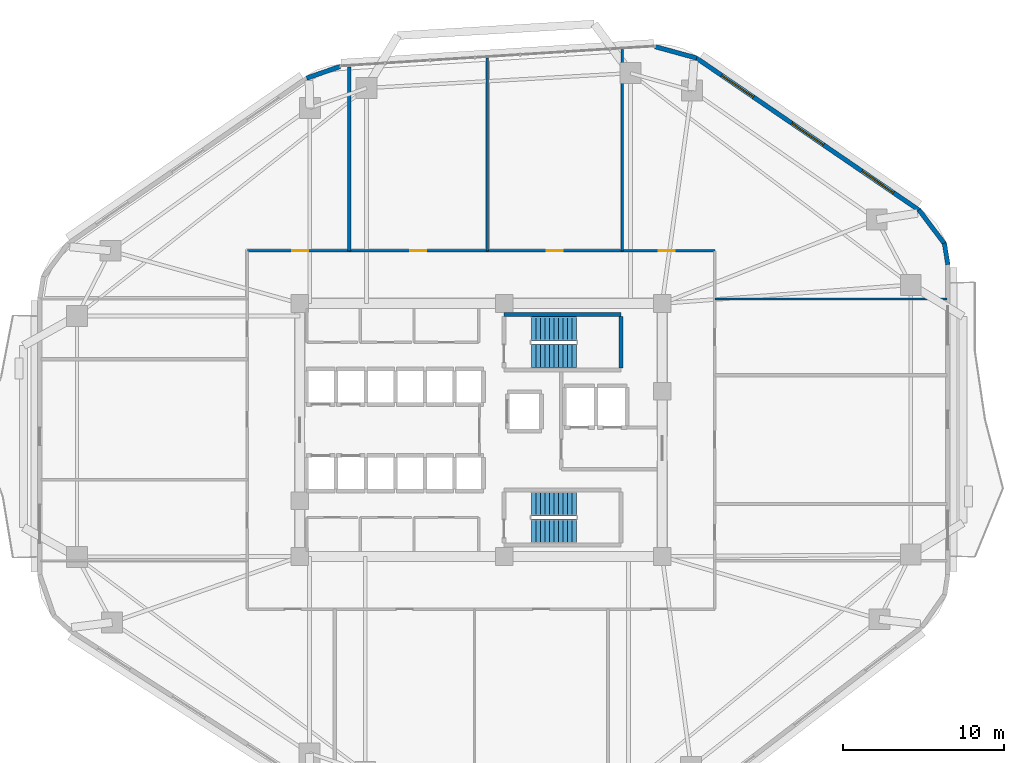
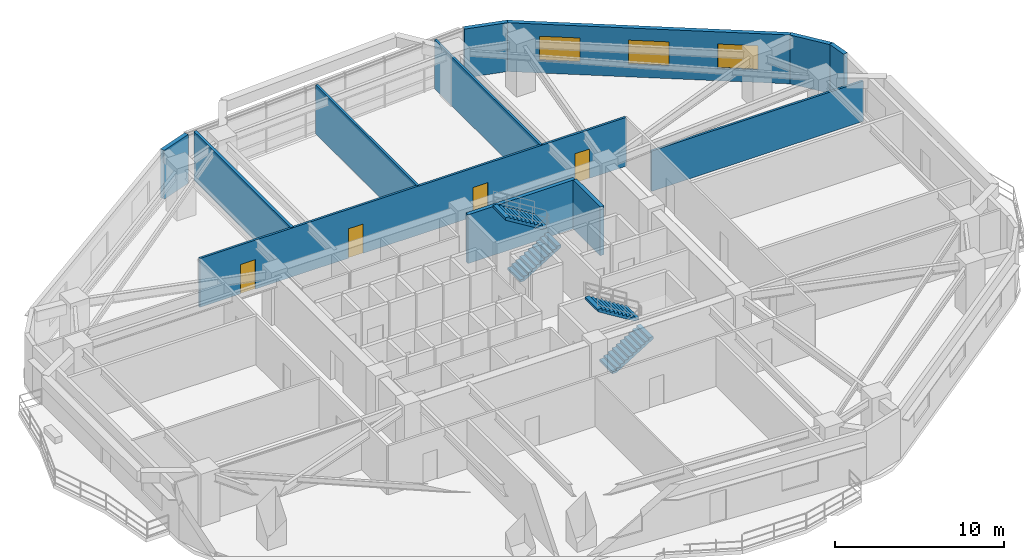
# One storey, part 10 of 14: 12 walls, 4 doors, 4 stair flights, 3 windows, 7 openings, 2 elements without a shape of their own.
"""IFC4 building model written with IfcOpenShell, lengths in metres."""

from ifc_helpers import new_model, si_unit, direction, frame, frame_2d, origin, place, context, subcontext, project, spatial, polyline, rectangle, outline, extrude, material, layer, layer_set, type_object, element, fill, aggregate, save


model = new_model("IFC4")

# Units and contexts
model_context = context("Model", 3, precision=1e-05, world=origin(), true_north=direction((0.0, 1.0)))
body_context = subcontext(model_context, "Body", "Model", "MODEL_VIEW")
ifc_project = project(units=[si_unit("LENGTHUNIT", "METRE"), si_unit("AREAUNIT", "SQUARE_METRE"), si_unit("VOLUMEUNIT", "CUBIC_METRE"), si_unit("PLANEANGLEUNIT", "RADIAN"), si_unit("MASSUNIT", "GRAM", prefix="KILO")], contexts=[model_context])

# Site, building, storey
site_placement = place(None, origin())
site = spatial("IfcSite", under=ifc_project, at=site_placement, CompositionType="ELEMENT")
building_placement = place(site_placement, origin())
building = spatial("IfcBuilding", under=site, at=building_placement, Name="Zulverin Broadcast Headquarters", CompositionType="ELEMENT")
storey_placement = place(building_placement, frame((0.0, 0.0, 55.39990234375)))
storey = spatial("IfcBuildingStorey", under=building, at=storey_placement, Name="L13", CompositionType="ELEMENT", Elevation=55.39990234375)

# Wall
ifc_material_1 = material(Name="Acoustic drywall steel stud", Category="steel")
ifc_layer_1 = layer(ifc_material_1, 0.199951171875, Name="Acoustic drywall steel stud", Category="steel")
ifc_layer_set_1 = layer_set([ifc_layer_1], Name="Acoustic drywall steel stud")
wall_type_1 = type_object("IfcWallType", Name="WL-ACOU-200", PredefinedType="PARTITIONING", material=ifc_layer_set_1)
wall_1_placement = place(storey_placement, frame((28.800048828125, 36.35009765625, 0.0), z_axis=(0.0, 0.0, 1.0), x_axis=(0.0, 1.0, 0.0)))
element("IfcWall", 1, at=wall_1_placement, inside=storey, type_object=wall_type_1, Name="L13 Room Partition Wall RP-06", PredefinedType="PARTITIONING", context=body_context, shape_type="SweptSolid", body=[
    extrude(rectangle(XDim=11.454345703125, YDim=0.199951171875, at=frame_2d((5.72705078125, 0.0))), origin(), (0.0, 0.0, 1.0), 3.525146484375),
])

# Wall, openings, windows
ifc_material_2 = material(Name="Insulated pale-metal clad concrete spandrel C40/50", Category="concrete")
ifc_layer_2 = layer(ifc_material_2, 0.280029296875, Name="Insulated pale-metal clad concrete spandrel C40/50", Category="concrete")
ifc_layer_set_2 = layer_set([ifc_layer_2], Name="Insulated pale-metal clad concrete spandrel C40/50")
wall_type_2 = type_object("IfcWallType", Name="WL-EXT-280", PredefinedType="STANDARD", material=ifc_layer_set_2)
wall_2_placement = place(storey_placement, frame((64.289794921875, 38.8671875, 0.0), z_axis=(0.0, 0.0, 1.0), x_axis=(-0.825755550159, 0.564028165416, 0.0)))
wall_2 = element("IfcWall", 2, at=wall_2_placement, inside=storey, type_object=wall_type_2, Name="L13 Pale-Metal Clad Spandrel Wall 4", PredefinedType="STANDARD", context=body_context, shape_type="SweptSolid", body=[
    extrude(rectangle(XDim=16.848388671875, YDim=0.280029296875, at=frame_2d((8.42431640625, 0.0))), origin(), (0.0, 0.0, 1.0), 3.525146484375),
])
opening_1_placement = place(wall_2_placement, frame((1.94140625, 0.0, 0.89990234375)))
opening_1 = element("IfcOpeningElement", 3, at=opening_1_placement, cuts=wall_2, Name="Opening W-L13-E41", PredefinedType="OPENING", context=body_context, shape_type="SweptSolid", body=[
    extrude(rectangle(XDim=2.39990234375, YDim=1.75, at=frame_2d((1.199951171875, 0.875))), frame((0.0, 0.14990234375, 0.0), z_axis=(0.0, -1.0, 0.0), x_axis=(1.0, 0.0, 0.0)), (0.0, 0.0, 1.0), 0.300048828125),
])
opening_2_placement = place(wall_2_placement, frame((7.22412109375, 0.0, 0.89990234375)))
opening_2 = element("IfcOpeningElement", 4, at=opening_2_placement, cuts=wall_2, Name="Opening W-L13-E42", PredefinedType="OPENING", context=body_context, shape_type="SweptSolid", body=[
    extrude(rectangle(XDim=2.39990234375, YDim=1.75, at=frame_2d((1.199951171875, 0.875))), frame((0.0, 0.14990234375, 0.0), z_axis=(0.0, -1.0, 0.0), x_axis=(1.0, 0.0, 0.0)), (0.0, 0.0, 1.0), 0.300048828125),
])
opening_3_placement = place(wall_2_placement, frame((12.5068359375, 0.0, 0.89990234375)))
opening_3 = element("IfcOpeningElement", 5, at=opening_3_placement, cuts=wall_2, Name="Opening W-L13-E43", PredefinedType="OPENING", context=body_context, shape_type="SweptSolid", body=[
    extrude(rectangle(XDim=2.39990234375, YDim=1.75, at=frame_2d((1.199951171875, 0.875))), frame((0.0, 0.14990234375, 0.0), z_axis=(0.0, -1.0, 0.0), x_axis=(1.0, 0.0, 0.0)), (0.0, 0.0, 1.0), 0.300048828125),
])
ifc_material_3 = material(Name="Pale anodized aluminium frame with solar-control low-E double glazing", Category="aluminium")
window_type = type_object("IfcWindowType", Name="WIN-RIB-2400", PartitioningType="SINGLE_PANEL", PredefinedType="WINDOW", material=ifc_material_3)
window_1_placement = place(opening_1_placement, origin())
window_1 = element("IfcWindow", 6, at=window_1_placement, inside=storey, type_object=window_type, Name="L13 Ribbon Glazing Window 4 1", OverallHeight=1.75, OverallWidth=2.39990234375, PartitioningType="SINGLE_PANEL", PredefinedType="WINDOW", context=body_context, shape_type="SweptSolid", body=[
    extrude(rectangle(XDim=2.39990234375, YDim=1.75, at=frame_2d((1.199951171875, 0.875))), frame((0.0, 0.030029296875, 0.0), z_axis=(0.0, -1.0, 0.0), x_axis=(1.0, 0.0, 0.0)), (0.0, 0.0, 1.0), 0.06005859375),
])
fill(opening_1, window_1)
window_2_placement = place(opening_2_placement, origin())
window_2 = element("IfcWindow", 7, at=window_2_placement, inside=storey, type_object=window_type, Name="L13 Ribbon Glazing Window 4 2", OverallHeight=1.75, OverallWidth=2.39990234375, PartitioningType="SINGLE_PANEL", PredefinedType="WINDOW", context=body_context, shape_type="SweptSolid", body=[
    extrude(rectangle(XDim=2.39990234375, YDim=1.75, at=frame_2d((1.199951171875, 0.875))), frame((0.0, 0.030029296875, 0.0), z_axis=(0.0, -1.0, 0.0), x_axis=(1.0, 0.0, 0.0)), (0.0, 0.0, 1.0), 0.06005859375),
])
fill(opening_2, window_2)
window_3_placement = place(opening_3_placement, origin())
window_3 = element("IfcWindow", 8, at=window_3_placement, inside=storey, type_object=window_type, Name="L13 Ribbon Glazing Window 4 3", OverallHeight=1.75, OverallWidth=2.39990234375, PartitioningType="SINGLE_PANEL", PredefinedType="WINDOW", context=body_context, shape_type="SweptSolid", body=[
    extrude(rectangle(XDim=2.39990234375, YDim=1.75, at=frame_2d((1.199951171875, 0.875))), frame((0.0, 0.030029296875, 0.0), z_axis=(0.0, -1.0, 0.0), x_axis=(1.0, 0.0, 0.0)), (0.0, 0.0, 1.0), 0.06005859375),
])
fill(opening_3, window_3)

# Walls
wall_3_placement = place(storey_placement, frame((66.061767578125, 35.491943359375, 0.0), z_axis=(0.0, 0.0, 1.0), x_axis=(-0.161182073582, 0.986924687682, 0.0)))
element("IfcWall", 9, at=wall_3_placement, inside=storey, type_object=wall_type_2, Name="L13 Wind-Shaped Corner Spandrel Wall 3-1", PredefinedType="STANDARD", context=body_context, shape_type="SweptSolid", body=[
    extrude(rectangle(XDim=1.354248046875, YDim=0.280029296875, at=frame_2d((0.67724609375, 0.0))), origin(), (0.0, 0.0, 1.0), 3.525146484375),
])
wall_4_placement = place(storey_placement, frame((65.8701171875, 36.7666015625, 0.0), z_axis=(0.0, 0.0, 1.0), x_axis=(-0.603370463754, 0.797461023166, 0.0)))
element("IfcWall", 10, at=wall_4_placement, inside=storey, type_object=wall_type_2, Name="L13 Wind-Shaped Corner Spandrel Wall 3-2", PredefinedType="STANDARD", context=body_context, shape_type="SweptSolid", body=[
    extrude(rectangle(XDim=2.6728515625, YDim=0.280029296875, at=frame_2d((1.33642578125, 0.0))), origin(), (0.0, 0.0, 1.0), 3.525146484375),
])
wall_5_placement = place(storey_placement, frame((50.419189453125, 48.3505859375, 0.0), z_axis=(0.0, 0.0, 1.0), x_axis=(-0.964263320055, 0.264945748402, 0.0)))
element("IfcWall", 11, at=wall_5_placement, inside=storey, type_object=wall_type_2, Name="L13 Wind-Shaped Corner Spandrel Wall 4-1", PredefinedType="STANDARD", context=body_context, shape_type="SweptSolid", body=[
    extrude(rectangle(XDim=2.665771484375, YDim=0.280029296875, at=frame_2d((1.3330078125, 0.0))), origin(), (0.0, 0.0, 1.0), 3.525146484375),
])
wall_6_placement = place(storey_placement, frame((28.217041015625, 47.820068359375, 0.0), z_axis=(0.0, 0.0, 1.0), x_axis=(-0.944478751803, -0.328572499447, 0.0)))
element("IfcWall", 12, at=wall_6_placement, inside=storey, type_object=wall_type_2, Name="L13 Wind-Shaped Corner Spandrel Wall 5-1", PredefinedType="STANDARD", context=body_context, shape_type="SweptSolid", body=[
    extrude(rectangle(XDim=2.1904296875, YDim=0.280029296875, at=frame_2d((1.09521484375, 0.0))), origin(), (0.0, 0.0, 1.0), 3.525146484375),
])
ifc_material_4 = material(Name="Fire-rated gypsum stud partition", Category="gypsum")
ifc_layer_3 = layer(ifc_material_4, 0.14990234375, Name="Fire-rated gypsum stud partition", Category="gypsum")
ifc_layer_set_3 = layer_set([ifc_layer_3], Name="Fire-rated gypsum stud partition")
wall_type_3 = type_object("IfcWallType", Name="WL-PART-150", PredefinedType="PARTITIONING", material=ifc_layer_set_3)
wall_7_placement = place(storey_placement, frame((45.800048828125, 36.35009765625, 0.0), z_axis=(0.0, 0.0, 1.0), x_axis=(0.0, 1.0, 0.0)))
element("IfcWall", 13, at=wall_7_placement, inside=storey, type_object=wall_type_3, Name="L13 Room Partition Wall RP-02", PredefinedType="PARTITIONING", context=body_context, shape_type="SweptSolid", body=[
    extrude(rectangle(XDim=12.5263671875, YDim=0.14990234375, at=frame_2d((6.26318359375, 0.0))), origin(), (0.0, 0.0, 1.0), 3.525146484375),
])
wall_8_placement = place(storey_placement, frame((37.39990234375, 36.35009765625, 0.0), z_axis=(0.0, 0.0, 1.0), x_axis=(0.0, 1.0, 0.0)))
element("IfcWall", 14, at=wall_8_placement, inside=storey, type_object=wall_type_3, Name="L13 Room Partition Wall RP-04", PredefinedType="PARTITIONING", context=body_context, shape_type="SweptSolid", body=[
    extrude(rectangle(XDim=11.99658203125, YDim=0.14990234375, at=frame_2d((5.998291015625, 0.0))), origin(), (0.0, 0.0, 1.0), 3.525146484375),
])
wall_9_placement = place(storey_placement, frame((51.550048828125, 33.35009765625, 0.0), z_axis=(0.0, 0.0, 1.0), x_axis=(1.0, 0.0, 0.0)))
element("IfcWall", 15, at=wall_9_placement, inside=storey, type_object=wall_type_3, Name="L13 Room Partition Wall RP-17", PredefinedType="PARTITIONING", context=body_context, shape_type="SweptSolid", body=[
    extrude(rectangle(XDim=14.445068359375, YDim=0.14990234375, at=frame_2d((7.22265625, 0.0))), origin(), (0.0, 0.0, 1.0), 2.907958984375),
])

# Wall, openings, doors
wall_10_placement = place(storey_placement, frame((22.449951171875, 36.35009765625, 0.0), z_axis=(0.0, 0.0, 1.0), x_axis=(1.0, 0.0, 0.0)))
wall_10 = element("IfcWall", 16, at=wall_10_placement, inside=storey, type_object=wall_type_3, Name="L13 Gallery Partition Wall CG-18", PredefinedType="PARTITIONING", context=body_context, shape_type="SweptSolid", body=[
    extrude(rectangle(XDim=29.10009765625, YDim=0.14990234375, at=frame_2d((14.550048828125, 0.0))), origin(), (0.0, 0.0, 1.0), 3.525146484375),
])
opening_4_placement = place(wall_10_placement, frame((2.794921875, 0.0, 0.0)))
opening_4 = element("IfcOpeningElement", 17, at=opening_4_placement, cuts=wall_10, Name="Opening D-L13-01", PredefinedType="OPENING", context=body_context, shape_type="SweptSolid", body=[
    extrude(rectangle(XDim=1.0, YDim=2.1201171875, at=frame_2d((0.5, 1.06005859375))), frame((0.0, 0.0849609375, 0.0), z_axis=(0.0, -1.0, 0.0), x_axis=(1.0, 0.0, 0.0)), (0.0, 0.0, 1.0), 0.169921875),
])
opening_5_placement = place(wall_10_placement, frame((10.14990234375, 0.0, 0.0)))
opening_5 = element("IfcOpeningElement", 18, at=opening_5_placement, cuts=wall_10, Name="Opening D-L13-02", PredefinedType="OPENING", context=body_context, shape_type="SweptSolid", body=[
    extrude(rectangle(XDim=1.0, YDim=2.1201171875, at=frame_2d((0.5, 1.06005859375))), frame((0.0, 0.0849609375, 0.0), z_axis=(0.0, -1.0, 0.0), x_axis=(1.0, 0.0, 0.0)), (0.0, 0.0, 1.0), 0.169921875),
])
opening_6_placement = place(wall_10_placement, frame((18.64990234375, 0.0, 0.0)))
opening_6 = element("IfcOpeningElement", 19, at=opening_6_placement, cuts=wall_10, Name="Opening D-L13-03", PredefinedType="OPENING", context=body_context, shape_type="SweptSolid", body=[
    extrude(rectangle(XDim=1.0, YDim=2.1201171875, at=frame_2d((0.5, 1.06005859375))), frame((0.0, 0.0849609375, 0.0), z_axis=(0.0, -1.0, 0.0), x_axis=(1.0, 0.0, 0.0)), (0.0, 0.0, 1.0), 0.169921875),
])
opening_7_placement = place(wall_10_placement, frame((25.60498046875, 0.0, 0.0)))
opening_7 = element("IfcOpeningElement", 20, at=opening_7_placement, cuts=wall_10, Name="Opening D-L13-04", PredefinedType="OPENING", context=body_context, shape_type="SweptSolid", body=[
    extrude(rectangle(XDim=1.0, YDim=2.1201171875, at=frame_2d((0.5, 1.06005859375))), frame((0.0, 0.0849609375, 0.0), z_axis=(0.0, -1.0, 0.0), x_axis=(1.0, 0.0, 0.0)), (0.0, 0.0, 1.0), 0.169921875),
])
ifc_material_5 = material(Name="Hardwood veneer acoustic leaf", Category="wood")
door_type = type_object("IfcDoorType", Name="DR-OFF-1000", OperationType="SINGLE_SWING_LEFT", PredefinedType="DOOR", material=ifc_material_5)
door_1_placement = place(opening_4_placement, origin())
door_1 = element("IfcDoor", 21, at=door_1_placement, inside=storey, type_object=door_type, Name="L13 Sports Broadcast Workplace Door", OperationType="SINGLE_SWING_RIGHT", OverallHeight=2.1201171875, OverallWidth=1.0, PredefinedType="DOOR", context=body_context, shape_type="SweptSolid", body=[
    extrude(rectangle(XDim=1.0, YDim=2.1201171875, at=frame_2d((0.5, 1.06005859375))), frame((0.0, 0.02490234375, 0.0), z_axis=(0.0, -1.0, 0.0), x_axis=(1.0, 0.0, 0.0)), (0.0, 0.0, 1.0), 0.050048828125),
])
fill(opening_4, door_1)
door_2_placement = place(opening_5_placement, origin())
door_2 = element("IfcDoor", 22, at=door_2_placement, inside=storey, type_object=door_type, Name="L13 Live Replay Office Door", OperationType="SINGLE_SWING_LEFT", OverallHeight=2.1201171875, OverallWidth=1.0, PredefinedType="DOOR", context=body_context, shape_type="SweptSolid", body=[
    extrude(rectangle(XDim=1.0, YDim=2.1201171875, at=frame_2d((0.5, 1.06005859375))), frame((0.0, 0.02490234375, 0.0), z_axis=(0.0, -1.0, 0.0), x_axis=(1.0, 0.0, 0.0)), (0.0, 0.0, 1.0), 0.050048828125),
])
fill(opening_5, door_2)
door_3_placement = place(opening_6_placement, origin())
door_3 = element("IfcDoor", 23, at=door_3_placement, inside=storey, type_object=door_type, Name="L13 Commentary Office Door", OperationType="SINGLE_SWING_RIGHT", OverallHeight=2.1201171875, OverallWidth=1.0, PredefinedType="DOOR", context=body_context, shape_type="SweptSolid", body=[
    extrude(rectangle(XDim=1.0, YDim=2.1201171875, at=frame_2d((0.5, 1.06005859375))), frame((0.0, 0.02490234375, 0.0), z_axis=(0.0, -1.0, 0.0), x_axis=(1.0, 0.0, 0.0)), (0.0, 0.0, 1.0), 0.050048828125),
])
fill(opening_6, door_3)
door_4_placement = place(opening_7_placement, origin())
door_4 = element("IfcDoor", 24, at=door_4_placement, inside=storey, type_object=door_type, Name="L13 Media Tech Office Door", OperationType="SINGLE_SWING_LEFT", OverallHeight=2.1201171875, OverallWidth=1.0, PredefinedType="DOOR", context=body_context, shape_type="SweptSolid", body=[
    extrude(rectangle(XDim=1.0, YDim=2.1201171875, at=frame_2d((0.5, 1.06005859375))), frame((0.0, 0.02490234375, 0.0), z_axis=(0.0, -1.0, 0.0), x_axis=(1.0, 0.0, 0.0)), (0.0, 0.0, 1.0), 0.050048828125),
])
fill(opening_7, door_4)

# Walls
ifc_material_6 = material(Name="Concrete C50/60", Category="concrete")
ifc_layer_4 = layer(ifc_material_6, 0.25, Name="Concrete C50/60", Category="concrete")
ifc_layer_set_4 = layer_set([ifc_layer_4], Name="Concrete C50/60")
wall_type_4 = type_object("IfcWallType", Name="WL-SHAFT-250", PredefinedType="SHEAR", material=ifc_layer_set_4)
wall_11_placement = place(storey_placement, frame((38.425048828125, 32.375, 0.0), z_axis=(0.0, 0.0, 1.0), x_axis=(1.0, 0.0, 0.0)))
element("IfcWall", 25, at=wall_11_placement, inside=storey, type_object=wall_type_4, Name="L13 ST-1 Enclosure Wall N", PredefinedType="SHEAR", context=body_context, shape_type="SweptSolid", body=[
    extrude(rectangle(XDim=7.300048828125, YDim=0.25, at=frame_2d((3.64990234375, 0.0))), origin(), (0.0, 0.0, 1.0), 3.525146484375),
])
wall_12_placement = place(storey_placement, frame((45.72509765625, 29.050048828125, 0.0), z_axis=(0.0, 0.0, 1.0), x_axis=(0.0, 1.0, 0.0)))
element("IfcWall", 26, at=wall_12_placement, inside=storey, type_object=wall_type_4, Name="L13 ST-1 Enclosure Wall E", PredefinedType="SHEAR", context=body_context, shape_type="SweptSolid", body=[
    extrude(rectangle(XDim=3.199951171875, YDim=0.25, at=frame_2d((1.60009765625, 0.0))), origin(), (0.0, 0.0, 1.0), 3.525146484375),
])

# Stair, stair flights
ifc_material_7 = material(Name="Concrete C40/50", Category="concrete")
stair_type = type_object("IfcStairType", Name="ST-CORE-1500", PredefinedType="HALF_TURN_STAIR", material=ifc_material_7)
stair_1_placement = place(storey_placement, origin())
stair_1 = element("IfcStair", 27, at=stair_1_placement, inside=storey, type_object=stair_type, Name="L13 Core Exit Stair ST-1", PredefinedType="HALF_TURN_STAIR")
stair_flight_type = type_object("IfcStairFlightType", Name="SF-CORE-1500", PredefinedType="STRAIGHT", material=ifc_material_7)
stair_flight_1_placement = place(storey_placement, frame((40.1298828125, 29.800048828125, 0.0), z_axis=(0.0, 0.0, 1.0), x_axis=(1.0, 0.0, 0.0)))
stair_flight_1 = element("IfcStairFlight", 28, at=stair_flight_1_placement, type_object=stair_flight_type, Name="ST-1 flight 1", NumberOfRisers=11, NumberOfTreads=10, PredefinedType="STRAIGHT", RiserHeight=0.172727273, TreadLength=0.28, context=body_context, shape_type="SweptSolid", body=[
    extrude(outline(polyline([(0.0, 0.0), (0.0, 0.172607421875), (0.280029296875, 0.172607421875), (0.280029296875, 0.345458984375), (0.56005859375, 0.345458984375), (0.56005859375, 0.51806640625), (0.840087890625, 0.51806640625), (0.840087890625, 0.69091796875), (1.1201171875, 0.69091796875), (1.1201171875, 0.863525390625), (1.39990234375, 0.863525390625), (1.39990234375, 1.036376953125), (1.679931640625, 1.036376953125), (1.679931640625, 1.208984375), (1.9599609375, 1.208984375), (1.9599609375, 1.3818359375), (2.239990234375, 1.3818359375), (2.239990234375, 1.554443359375), (2.52001953125, 1.554443359375), (2.52001953125, 1.727294921875), (2.800048828125, 1.727294921875), (2.800048828125, 1.89990234375), (2.800048828125, 1.551025390625), (0.285400390625, 0.0), (0.0, 0.0)])), frame((0.0, 0.75, 0.0), z_axis=(0.0, -1.0, 0.0), x_axis=(1.0, 0.0, 0.0)), (0.0, 0.0, 1.0), 1.5),
])
stair_flight_2_placement = place(storey_placement, frame((42.929931640625, 31.5, 1.900146484375), z_axis=(0.0, 0.0, 1.0), x_axis=(-1.0, 0.0, 0.0)))
stair_flight_2 = element("IfcStairFlight", 29, at=stair_flight_2_placement, type_object=stair_flight_type, Name="ST-1 flight 2", NumberOfRisers=11, NumberOfTreads=10, PredefinedType="STRAIGHT", RiserHeight=0.172727273, TreadLength=0.28, context=body_context, shape_type="SweptSolid", body=[
    extrude(outline(polyline([(0.0, 0.0), (0.0, 0.172607421875), (0.280029296875, 0.172607421875), (0.280029296875, 0.345458984375), (0.56005859375, 0.345458984375), (0.56005859375, 0.51806640625), (0.840087890625, 0.51806640625), (0.840087890625, 0.69091796875), (1.1201171875, 0.69091796875), (1.1201171875, 0.863525390625), (1.39990234375, 0.863525390625), (1.39990234375, 1.036376953125), (1.679931640625, 1.036376953125), (1.679931640625, 1.208984375), (1.9599609375, 1.208984375), (1.9599609375, 1.3818359375), (2.239990234375, 1.3818359375), (2.239990234375, 1.554443359375), (2.52001953125, 1.554443359375), (2.52001953125, 1.727294921875), (2.800048828125, 1.727294921875), (2.800048828125, 1.89990234375), (2.800048828125, 1.551025390625), (0.285400390625, 0.0), (0.0, 0.0)])), frame((0.0, 0.75, 0.0), z_axis=(0.0, -1.0, 0.0), x_axis=(1.0, 0.0, 0.0)), (0.0, 0.0, 1.0), 1.5),
])
aggregate(stair_1, [stair_flight_1, stair_flight_2])

stair_2_placement = place(storey_placement, origin())
stair_2 = element("IfcStair", 30, at=stair_2_placement, inside=storey, type_object=stair_type, Name="L13 Core Exit Stair ST-2", PredefinedType="HALF_TURN_STAIR")
stair_flight_3_placement = place(storey_placement, frame((40.1298828125, 18.89990234375, 0.0), z_axis=(0.0, 0.0, 1.0), x_axis=(1.0, 0.0, 0.0)))
stair_flight_3 = element("IfcStairFlight", 31, at=stair_flight_3_placement, type_object=stair_flight_type, Name="ST-2 flight 1", NumberOfRisers=11, NumberOfTreads=10, PredefinedType="STRAIGHT", RiserHeight=0.172727273, TreadLength=0.28, context=body_context, shape_type="SweptSolid", body=[
    extrude(outline(polyline([(0.0, 0.0), (0.0, 0.172607421875), (0.280029296875, 0.172607421875), (0.280029296875, 0.345458984375), (0.56005859375, 0.345458984375), (0.56005859375, 0.51806640625), (0.840087890625, 0.51806640625), (0.840087890625, 0.69091796875), (1.1201171875, 0.69091796875), (1.1201171875, 0.863525390625), (1.39990234375, 0.863525390625), (1.39990234375, 1.036376953125), (1.679931640625, 1.036376953125), (1.679931640625, 1.208984375), (1.9599609375, 1.208984375), (1.9599609375, 1.3818359375), (2.239990234375, 1.3818359375), (2.239990234375, 1.554443359375), (2.52001953125, 1.554443359375), (2.52001953125, 1.727294921875), (2.800048828125, 1.727294921875), (2.800048828125, 1.89990234375), (2.800048828125, 1.551025390625), (0.285400390625, 0.0), (0.0, 0.0)])), frame((0.0, 0.75, 0.0), z_axis=(0.0, -1.0, 0.0), x_axis=(1.0, 0.0, 0.0)), (0.0, 0.0, 1.0), 1.5),
])
stair_flight_4_placement = place(storey_placement, frame((42.929931640625, 20.60009765625, 1.900146484375), z_axis=(0.0, 0.0, 1.0), x_axis=(-1.0, 0.0, 0.0)))
stair_flight_4 = element("IfcStairFlight", 32, at=stair_flight_4_placement, type_object=stair_flight_type, Name="ST-2 flight 2", NumberOfRisers=11, NumberOfTreads=10, PredefinedType="STRAIGHT", RiserHeight=0.172727273, TreadLength=0.28, context=body_context, shape_type="SweptSolid", body=[
    extrude(outline(polyline([(0.0, 0.0), (0.0, 0.172607421875), (0.280029296875, 0.172607421875), (0.280029296875, 0.345458984375), (0.56005859375, 0.345458984375), (0.56005859375, 0.51806640625), (0.840087890625, 0.51806640625), (0.840087890625, 0.69091796875), (1.1201171875, 0.69091796875), (1.1201171875, 0.863525390625), (1.39990234375, 0.863525390625), (1.39990234375, 1.036376953125), (1.679931640625, 1.036376953125), (1.679931640625, 1.208984375), (1.9599609375, 1.208984375), (1.9599609375, 1.3818359375), (2.239990234375, 1.3818359375), (2.239990234375, 1.554443359375), (2.52001953125, 1.554443359375), (2.52001953125, 1.727294921875), (2.800048828125, 1.727294921875), (2.800048828125, 1.89990234375), (2.800048828125, 1.551025390625), (0.285400390625, 0.0), (0.0, 0.0)])), frame((0.0, 0.75, 0.0), z_axis=(0.0, -1.0, 0.0), x_axis=(1.0, 0.0, 0.0)), (0.0, 0.0, 1.0), 1.5),
])
aggregate(stair_2, [stair_flight_3, stair_flight_4])

save(model, "model.ifc")
